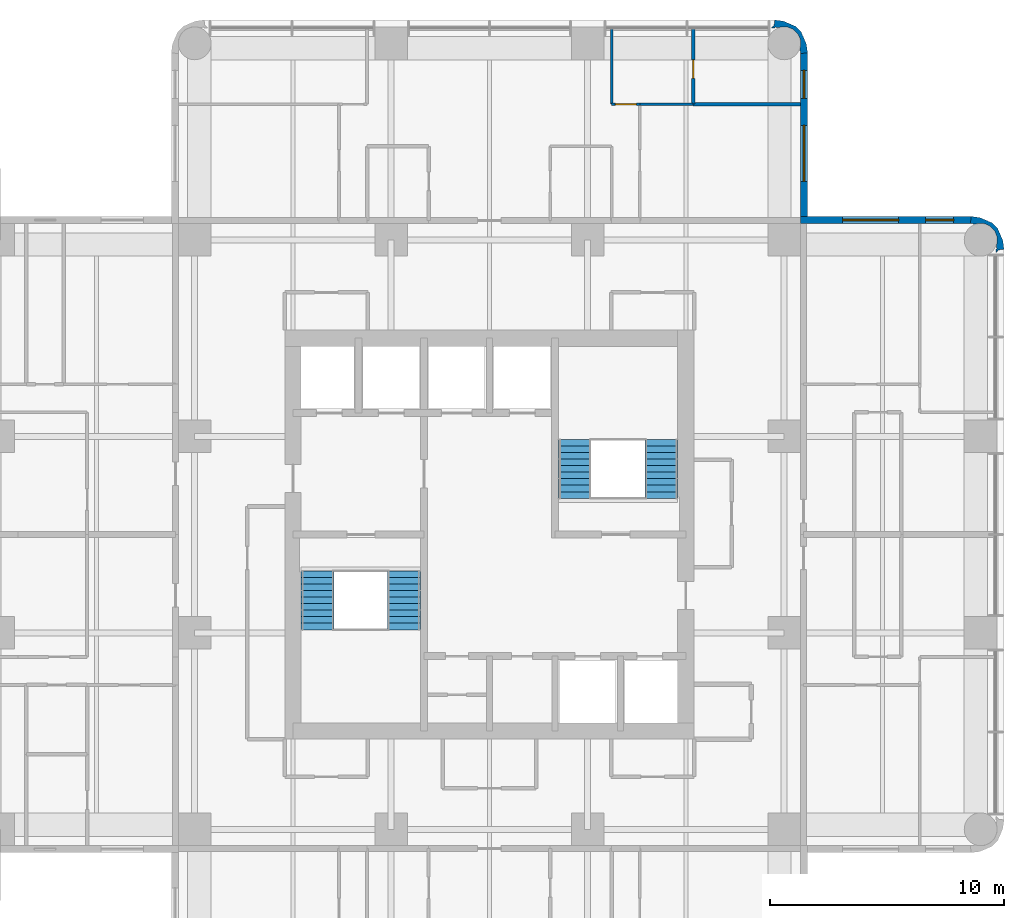
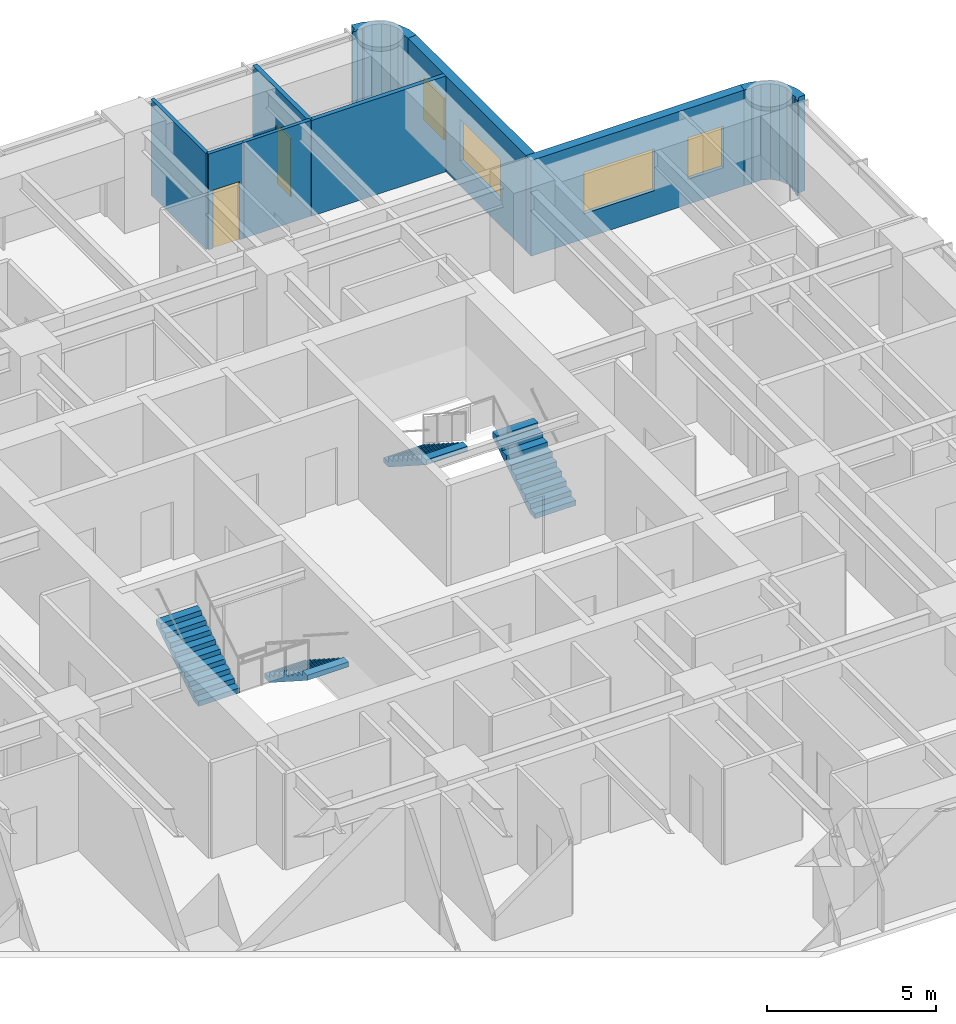
# One storey, part 10 of 11: 9 walls, 4 stair flights, 4 windows, 2 doors, 6 openings, 2 elements without a shape of their own.
"""IFC4 building model written with IfcOpenShell, lengths in metres."""

from ifc_helpers import new_model, si_unit, direction, frame, frame_2d, origin, place, context, subcontext, project, spatial, polyline, rectangle, outline, extrude, material, layer, layer_set, type_object, element, fill, aggregate, save


model = new_model("IFC4")

# Units and contexts
model_context = context("Model", 3, precision=1e-05, world=origin(), true_north=direction((0.0, 1.0)))
body_context = subcontext(model_context, "Body", "Model", "MODEL_VIEW")
ifc_project = project(units=[si_unit("LENGTHUNIT", "METRE"), si_unit("AREAUNIT", "SQUARE_METRE"), si_unit("VOLUMEUNIT", "CUBIC_METRE"), si_unit("PLANEANGLEUNIT", "RADIAN"), si_unit("MASSUNIT", "GRAM", prefix="KILO")], contexts=[model_context])

# Site, building, storey
site_placement = place(None, origin())
site = spatial("IfcSite", under=ifc_project, at=site_placement, CompositionType="ELEMENT")
building_placement = place(site_placement, origin())
building = spatial("IfcBuilding", under=site, at=building_placement, Name="Torre Alcanfor", CompositionType="ELEMENT")
storey_placement = place(building_placement, frame((0.0, 0.0, 190.5)))
storey = spatial("IfcBuildingStorey", under=building, at=storey_placement, Name="L49", CompositionType="ELEMENT", Elevation=190.5)

# Wall
ifc_material_1 = material(Name="Gypsum board on steel studs", Category="steel")
ifc_layer_1 = layer(ifc_material_1, 0.1201171875)
ifc_layer_set_1 = layer_set([ifc_layer_1], Name="Apartment partition 120")
wall_type_1 = type_object("IfcWallType", Name="Apartment partition 120", PredefinedType="PARTITIONING", material=ifc_layer_set_1)
wall_1_placement = place(storey_placement, frame((34.62890625, 51.050048828125, 0.0), z_axis=(0.0, 0.0, 1.0), x_axis=(0.0, -1.0, 0.0)))
element("IfcWall", 1, at=wall_1_placement, inside=storey, type_object=wall_type_1, Name="Partition L49-NX-LIVING / L49-NX-BED1", PredefinedType="PARTITIONING", context=body_context, shape_type="SweptSolid", body=[
    extrude(rectangle(XDim=3.25, YDim=0.1201171875, at=frame_2d((1.625, 0.0))), origin(), (0.0, 0.0, 1.0), 3.449951171875),
])

# Wall, opening, door
wall_2_placement = place(storey_placement, frame((34.62890625, 47.800048828125, 0.0), z_axis=(0.0, 0.0, 1.0), x_axis=(1.0, 0.0, 0.0)))
wall_2 = element("IfcWall", 2, at=wall_2_placement, inside=storey, type_object=wall_type_1, Name="Partition L49-NX-LIVING / L49-NX-BED1", PredefinedType="PARTITIONING", context=body_context, shape_type="SweptSolid", body=[
    extrude(rectangle(XDim=1.2001953125, YDim=0.1201171875, at=frame_2d((0.60009765625, 0.0))), origin(), (0.0, 0.0, 1.0), 3.449951171875),
])
opening_1_placement = place(wall_2_placement, frame((0.15087890625, 0.0, 0.0)))
opening_1 = element("IfcOpeningElement", 3, at=opening_1_placement, cuts=wall_2, Name="Opening D-R1", PredefinedType="OPENING", context=body_context, shape_type="SweptSolid", body=[
    extrude(rectangle(XDim=0.89990234375, YDim=2.10009765625, at=frame_2d((0.449951171875, 1.050048828125))), frame((0.0, 0.070068359375, 0.0), z_axis=(0.0, -1.0, 0.0), x_axis=(1.0, 0.0, 0.0)), (0.0, 0.0, 1.0), 0.14013671875),
])
ifc_material_2 = material(Name="Timber", Category="wood")
door_type_1 = type_object("IfcDoorType", Name="Internal door 900x2100", OperationType="SINGLE_SWING_LEFT", PredefinedType="DOOR", material=ifc_material_2)
door_1_placement = place(opening_1_placement, origin())
door_1 = element("IfcDoor", 4, at=door_1_placement, inside=storey, type_object=door_type_1, Name="Door L49-NX bed1", OperationType="SINGLE_SWING_LEFT", OverallHeight=2.10009765625, OverallWidth=0.89990234375, PredefinedType="DOOR", context=body_context, shape_type="SweptSolid", body=[
    extrude(rectangle(XDim=0.89990234375, YDim=2.10009765625, at=frame_2d((0.449951171875, 1.050048828125))), frame((0.0, 0.02490234375, 0.0), z_axis=(0.0, -1.0, 0.0), x_axis=(1.0, 0.0, 0.0)), (0.0, 0.0, 1.0), 0.050048828125),
])
fill(opening_1, door_1)

# Wall
wall_3_placement = place(storey_placement, frame((38.114013671875, 47.800048828125, 0.0), z_axis=(0.0, 0.0, 1.0), x_axis=(-1.0, 0.0, 0.0)))
element("IfcWall", 5, at=wall_3_placement, inside=storey, type_object=wall_type_1, Name="Partition L49-NX-BED3 / L49-NX-BED1", PredefinedType="PARTITIONING", context=body_context, shape_type="SweptSolid", body=[
    extrude(rectangle(XDim=2.284912109375, YDim=0.1201171875, at=frame_2d((1.142578125, 0.0))), origin(), (0.0, 0.0, 1.0), 3.449951171875),
])

# Wall, openings, windows
ifc_material_3 = material(Name="Limestone cladding", Category="masonry")
ifc_layer_2 = layer(ifc_material_3, 0.0400390625, Name="Facing")
ifc_material_4 = material(Name="Ventilated air cavity")
ifc_layer_3 = layer(ifc_material_4, 0.02001953125, ventilated=True, Name="Ventilated joint")
ifc_material_5 = material(Name="Mineral wool insulation", Category="insulation")
ifc_layer_4 = layer(ifc_material_5, 0.10009765625, Name="Insulation")
ifc_material_6 = material(Name="Concrete f'c 35 MPa", Category="concrete")
ifc_layer_5 = layer(ifc_material_6, 0.139892578125, Name="Backing")
ifc_layer_set_2 = layer_set([ifc_layer_2, ifc_layer_3, ifc_layer_4, ifc_layer_5], Name="External wall stone-clad 300")
wall_type_2 = type_object("IfcWallType", Name="External wall stone-clad 300", PredefinedType="SOLIDWALL", material=ifc_layer_set_2)
wall_4_placement = place(storey_placement, frame((50.0, 42.85009765625, 0.0), z_axis=(0.0, 0.0, 1.0), x_axis=(-1.0, 0.0, 0.0)))
wall_4 = element("IfcWall", 6, at=wall_4_placement, inside=storey, type_object=wall_type_2, Name="External wall L49 9", PredefinedType="SOLIDWALL", context=body_context, shape_type="SweptSolid", body=[
    extrude(rectangle(XDim=7.300048828125, YDim=0.300048828125, at=frame_2d((3.64990234375, 0.0))), origin(), (0.0, 0.0, 1.0), 3.449951171875),
])
opening_2_placement = place(wall_4_placement, frame((3.10009765625, 0.0, 0.89990234375)))
opening_2 = element("IfcOpeningElement", 7, at=opening_2_placement, cuts=wall_4, Name="Opening W1", PredefinedType="OPENING", context=body_context, shape_type="SweptSolid", body=[
    extrude(rectangle(XDim=2.39990234375, YDim=1.5, at=frame_2d((1.199951171875, 0.75))), frame((0.0, 0.159912109375, 0.0), z_axis=(0.0, -1.0, 0.0), x_axis=(1.0, 0.0, 0.0)), (0.0, 0.0, 1.0), 0.320068359375),
])
opening_3_placement = place(wall_4_placement, frame((0.75, 0.0, 0.89990234375)))
opening_3 = element("IfcOpeningElement", 8, at=opening_3_placement, cuts=wall_4, Name="Opening W4", PredefinedType="OPENING", context=body_context, shape_type="SweptSolid", body=[
    extrude(rectangle(XDim=1.199951171875, YDim=1.5, at=frame_2d((0.60009765625, 0.75))), frame((0.0, 0.159912109375, 0.0), z_axis=(0.0, -1.0, 0.0), x_axis=(1.0, 0.0, 0.0)), (0.0, 0.0, 1.0), 0.320068359375),
])
ifc_material_7 = material(Name="Aluminium frame with clear double glazing", Category="aluminium")
window_type_1 = type_object("IfcWindowType", Name="Window bedroom 1200x1500", PartitioningType="SINGLE_PANEL", PredefinedType="WINDOW", material=ifc_material_7)
window_1_placement = place(opening_3_placement, origin())
window_1 = element("IfcWindow", 9, at=window_1_placement, inside=storey, type_object=window_type_1, Name="Window W4 L49-E1", OverallHeight=1.5, OverallWidth=1.199951171875, PartitioningType="SINGLE_PANEL", PredefinedType="WINDOW", context=body_context, shape_type="SweptSolid", body=[
    extrude(rectangle(XDim=1.199951171875, YDim=1.5, at=frame_2d((0.60009765625, 0.75))), frame((0.0, 0.030029296875, 0.0), z_axis=(0.0, -1.0, 0.0), x_axis=(1.0, 0.0, 0.0)), (0.0, 0.0, 1.0), 0.06005859375),
])
fill(opening_3, window_1)
ifc_material_8 = material(Name="Aluminium frame with clear double glazing", Category="aluminium")
window_type_2 = type_object("IfcWindowType", Name="Window bedroom 2400x1500", PartitioningType="SINGLE_PANEL", PredefinedType="WINDOW", material=ifc_material_8)
window_2_placement = place(opening_2_placement, origin())
window_2 = element("IfcWindow", 10, at=window_2_placement, inside=storey, type_object=window_type_2, Name="Window W1 L49-E1", OverallHeight=1.5, OverallWidth=2.39990234375, PartitioningType="SINGLE_PANEL", PredefinedType="WINDOW", context=body_context, shape_type="SweptSolid", body=[
    extrude(rectangle(XDim=2.39990234375, YDim=1.5, at=frame_2d((1.199951171875, 0.75))), frame((0.0, 0.030029296875, 0.0), z_axis=(0.0, -1.0, 0.0), x_axis=(1.0, 0.0, 0.0)), (0.0, 0.0, 1.0), 0.06005859375),
])
fill(opening_2, window_2)

wall_5_placement = place(storey_placement, frame((42.85009765625, 43.0, 0.0), z_axis=(0.0, 0.0, 1.0), x_axis=(0.0, 1.0, 0.0)))
wall_5 = element("IfcWall", 11, at=wall_5_placement, inside=storey, type_object=wall_type_2, Name="External wall L49 10", PredefinedType="SOLIDWALL", context=body_context, shape_type="SweptSolid", body=[
    extrude(rectangle(XDim=7.0, YDim=0.300048828125, at=frame_2d((3.5, 0.0))), origin(), (0.0, 0.0, 1.0), 3.449951171875),
])
opening_4_placement = place(wall_5_placement, frame((1.5, 0.0, 0.89990234375)))
opening_4 = element("IfcOpeningElement", 12, at=opening_4_placement, cuts=wall_5, Name="Opening W1", PredefinedType="OPENING", context=body_context, shape_type="SweptSolid", body=[
    extrude(rectangle(XDim=2.39990234375, YDim=1.5, at=frame_2d((1.199951171875, 0.75))), frame((0.0, 0.159912109375, 0.0), z_axis=(0.0, -1.0, 0.0), x_axis=(1.0, 0.0, 0.0)), (0.0, 0.0, 1.0), 0.320068359375),
])
opening_5_placement = place(wall_5_placement, frame((5.050048828125, 0.0, 0.89990234375)))
opening_5 = element("IfcOpeningElement", 13, at=opening_5_placement, cuts=wall_5, Name="Opening W4", PredefinedType="OPENING", context=body_context, shape_type="SweptSolid", body=[
    extrude(rectangle(XDim=1.199951171875, YDim=1.5, at=frame_2d((0.60009765625, 0.75))), frame((0.0, 0.159912109375, 0.0), z_axis=(0.0, -1.0, 0.0), x_axis=(1.0, 0.0, 0.0)), (0.0, 0.0, 1.0), 0.320068359375),
])
window_3_placement = place(opening_5_placement, origin())
window_3 = element("IfcWindow", 14, at=window_3_placement, inside=storey, type_object=window_type_1, Name="Window W4 L49-N2", OverallHeight=1.5, OverallWidth=1.199951171875, PartitioningType="SINGLE_PANEL", PredefinedType="WINDOW", context=body_context, shape_type="SweptSolid", body=[
    extrude(rectangle(XDim=1.199951171875, YDim=1.5, at=frame_2d((0.60009765625, 0.75))), frame((0.0, 0.030029296875, 0.0), z_axis=(0.0, -1.0, 0.0), x_axis=(1.0, 0.0, 0.0)), (0.0, 0.0, 1.0), 0.06005859375),
])
fill(opening_5, window_3)
window_4_placement = place(opening_4_placement, origin())
window_4 = element("IfcWindow", 15, at=window_4_placement, inside=storey, type_object=window_type_2, Name="Window W1 L49-N2", OverallHeight=1.5, OverallWidth=2.39990234375, PartitioningType="SINGLE_PANEL", PredefinedType="WINDOW", context=body_context, shape_type="SweptSolid", body=[
    extrude(rectangle(XDim=2.39990234375, YDim=1.5, at=frame_2d((1.199951171875, 0.75))), frame((0.0, 0.030029296875, 0.0), z_axis=(0.0, -1.0, 0.0), x_axis=(1.0, 0.0, 0.0)), (0.0, 0.0, 1.0), 0.06005859375),
])
fill(opening_4, window_4)

# Walls
ifc_layer_6 = layer(ifc_material_3, 0.0400390625, Name="Facing")
ifc_layer_7 = layer(ifc_material_4, 0.02001953125, ventilated=True, Name="Ventilated joint")
ifc_layer_8 = layer(ifc_material_5, 0.10009765625, Name="Insulation")
ifc_layer_9 = layer(ifc_material_6, 0.139892578125, Name="Backing")
ifc_layer_set_3 = layer_set([ifc_layer_6, ifc_layer_7, ifc_layer_8, ifc_layer_9], Name="Rounded corner pier stone-clad 300")
wall_type_3 = type_object("IfcWallType", Name="Rounded corner pier stone-clad 300", PredefinedType="SOLIDWALL", material=ifc_layer_set_3)
wall_6_placement = place(storey_placement, frame((50.98815184, 41.487674505, 0.0), z_axis=(0.0, 0.0, 1.0), x_axis=(0.898030234854, 0.439933741929, 0.0)))
element("IfcWall", 16, at=wall_6_placement, inside=storey, type_object=wall_type_3, Name="Corner pier L49 18", PredefinedType="SOLIDWALL", context=body_context, shape_type="SweptSolid", body=[
    extrude(outline(polyline([(0.13762845900144902, -0.0395605783475044), (0.18185793649134802, -0.00033087416050568697), (0.41922313919285215, -0.08018355093564442), (0.535860291835806, 0.2661211239178742), (0.5587746083679793, 0.6308813409414961), (0.5545700157158291, 0.6511558966825934), (0.5663920082639611, 0.8356681075750403), (0.45545119814889223, 1.159160361177863), (0.33312688681130387, 1.297925592490813), (0.32402252373636403, 1.3165225487705126), (0.08234923743790223, 1.5906923948786469), (-0.22206721491752535, 1.7928353560160377), (-0.38958661601048106, 1.540782159618673), (-0.3718277173231749, 1.5320822980229156), (-0.19464371431186422, 1.4142897687749243), (-0.11970407362674929, 1.4096575385515544), (0.13067447329798665, 1.2870002306212465), (0.31526160288378063, 1.0777694581339308), (0.4057356995697948, 0.8140544036891404), (0.38812563637514036, 0.5355946934281371), (0.26546832844483254, 0.28521614650340116), (0.2089867161004748, 0.23540500505176065), (0.14757776297591008, 0.05289210976982966), (0.10504410439149783, 0.07372881532016215), (0.03190082356790798, -0.07557748105089318), (0.13762845900144902, -0.0395605783475044)])), origin(), (0.0, 0.0, 1.0), 3.449951171875),
])
wall_7_placement = place(storey_placement, frame((42.724211819, 50.110315272, 0.0), z_axis=(0.0, 0.0, 1.0), x_axis=(0.439933741929, 0.898030234854, 0.0)))
element("IfcWall", 17, at=wall_7_placement, inside=storey, type_object=wall_type_3, Name="Corner pier L49 19", PredefinedType="SOLIDWALL", context=body_context, shape_type="SweptSolid", body=[
    extrude(outline(polyline([(-0.14525732426811072, -0.04414433895897353), (0.0222620768248451, -0.29619753535633836), (0.3266785291802725, -0.09405457421894756), (0.5683518154787345, 0.1801152718891868), (0.5774561785536743, 0.19871222816888634), (0.6997804898912626, 0.33747745948183633), (0.8107213000063315, 0.6609697130846591), (0.7988993074581994, 0.8454819239771059), (0.8031039001103497, 0.8657564797182034), (0.7801895835781762, 1.2305166967418253), (0.6635524309352225, 1.5768213715953436), (0.42618722823371835, 1.496968694820205), (0.38195775074381944, 1.5361983990072037), (0.2762301153102783, 1.5722153017105926), (0.3493733961338682, 1.4229090053395372), (0.39190705471828047, 1.4437457108898697), (0.45331600784284515, 1.2612328156079387), (0.5097976201872029, 1.2114216741562982), (0.6324549281175107, 0.9610431272315622), (0.6500649913121652, 0.6825834169705589), (0.559590894626151, 0.4188683625257686), (0.37500376504035704, 0.20963759003845278), (0.1246252181156211, 0.08698028210814499), (0.04968557743050611, 0.08234805188477495), (-0.12749842558080457, -0.035444477363216154), (-0.14525732426811072, -0.04414433895897353)])), origin(), (0.0, 0.0, 1.0), 3.449951171875),
])
ifc_material_9 = material(Name="Cement board on steel studs", Category="steel")
ifc_layer_10 = layer(ifc_material_9, 0.14990234375)
ifc_layer_set_4 = layer_set([ifc_layer_10], Name="Wet area partition 150")
wall_type_4 = type_object("IfcWallType", Name="Wet area partition 150", PredefinedType="PARTITIONING", material=ifc_layer_set_4)
wall_8_placement = place(storey_placement, frame((42.699951171875, 47.800048828125, 0.0), z_axis=(0.0, 0.0, 1.0), x_axis=(-1.0, 0.0, 0.0)))
element("IfcWall", 18, at=wall_8_placement, inside=storey, type_object=wall_type_4, Name="Partition L49-NX-BED3 / L49-NX-BATH1", PredefinedType="PARTITIONING", context=body_context, shape_type="SweptSolid", body=[
    extrude(rectangle(XDim=4.5859375, YDim=0.14990234375, at=frame_2d((2.29296875, 0.0))), origin(), (0.0, 0.0, 1.0), 3.449951171875),
])

# Wall, opening, door
wall_9_placement = place(storey_placement, frame((38.114013671875, 51.050048828125, 0.0), z_axis=(0.0, 0.0, 1.0), x_axis=(0.0, -1.0, 0.0)))
wall_9 = element("IfcWall", 19, at=wall_9_placement, inside=storey, type_object=wall_type_4, Name="Partition L49-NX-BATH1 / L49-NX-BED1", PredefinedType="PARTITIONING", context=body_context, shape_type="SweptSolid", body=[
    extrude(rectangle(XDim=3.25, YDim=0.14990234375, at=frame_2d((1.625, 0.0))), origin(), (0.0, 0.0, 1.0), 3.449951171875),
])
opening_6_placement = place(wall_9_placement, frame((1.35009765625, 0.0, 0.0)))
opening_6 = element("IfcOpeningElement", 20, at=opening_6_placement, cuts=wall_9, Name="Opening D-R2", PredefinedType="OPENING", context=body_context, shape_type="SweptSolid", body=[
    extrude(rectangle(XDim=0.800048828125, YDim=2.10009765625, at=frame_2d((0.39990234375, 1.050048828125))), frame((0.0, 0.0849609375, 0.0), z_axis=(0.0, -1.0, 0.0), x_axis=(1.0, 0.0, 0.0)), (0.0, 0.0, 1.0), 0.169921875),
])
ifc_material_10 = material(Name="Timber", Category="wood")
door_type_2 = type_object("IfcDoorType", Name="Bathroom door 800x2100", OperationType="SINGLE_SWING_LEFT", PredefinedType="DOOR", material=ifc_material_10)
door_2_placement = place(opening_6_placement, frame((0.800048828125, 0.0, 0.0), z_axis=(0.0, 0.0, 1.0), x_axis=(-1.0, 0.0, 0.0)))
door_2 = element("IfcDoor", 21, at=door_2_placement, inside=storey, type_object=door_type_2, Name="Door L49-NX bath1", OperationType="SINGLE_SWING_LEFT", OverallHeight=2.10009765625, OverallWidth=0.800048828125, PredefinedType="DOOR", context=body_context, shape_type="SweptSolid", body=[
    extrude(rectangle(XDim=0.800048828125, YDim=2.10009765625, at=frame_2d((0.400146484375, 1.050048828125))), frame((0.0, 0.025146484375, 0.0), z_axis=(0.0, -1.0, 0.0), x_axis=(1.0, 0.0, 0.0)), (0.0, 0.0, 1.0), 0.050048828125),
])
fill(opening_6, door_2)

# Stair, stair flights
ifc_material_11 = material(Name="Concrete f'c 35 MPa", Category="concrete")
stair_type_1 = type_object("IfcStairType", Name="Exit stair S1 1400 wide", PredefinedType="HALF_TURN_STAIR", material=ifc_material_11)
stair_1_placement = place(storey_placement, origin())
stair_1 = element("IfcStair", 22, at=stair_1_placement, inside=storey, type_object=stair_type_1, Name="Stair S1 L49 to L50", PredefinedType="HALF_TURN_STAIR")
ifc_material_12 = material(Name="Concrete f'c 35 MPa", Category="concrete")
stair_flight_type = type_object("IfcStairFlightType", Name="Stair flight 1400", PredefinedType="STRAIGHT", material=ifc_material_12)
stair_flight_1_placement = place(storey_placement, frame((25.75, 27.85009765625, 0.0), z_axis=(0.0, 0.0, 1.0), x_axis=(0.0, -1.0, 0.0)))
stair_flight_1 = element("IfcStairFlight", 23, at=stair_flight_1_placement, type_object=stair_flight_type, Name="S1 flight 1", NumberOfRisers=10, NumberOfTreads=9, PredefinedType="STRAIGHT", RiserHeight=0.18, TreadLength=0.28, context=body_context, shape_type="SweptSolid", body=[
    extrude(outline(polyline([(0.0, 0.0), (0.0, 0.179931640625), (0.280029296875, 0.179931640625), (0.280029296875, 0.360107421875), (0.56005859375, 0.360107421875), (0.56005859375, 0.5400390625), (0.840087890625, 0.5400390625), (0.840087890625, 0.719970703125), (1.1201171875, 0.719970703125), (1.1201171875, 0.89990234375), (1.39990234375, 0.89990234375), (1.39990234375, 1.080078125), (1.679931640625, 1.080078125), (1.679931640625, 1.260009765625), (1.9599609375, 1.260009765625), (1.9599609375, 1.43994140625), (2.239990234375, 1.43994140625), (2.239990234375, 1.6201171875), (2.52001953125, 1.6201171875), (2.52001953125, 1.800048828125), (2.52001953125, 1.44189453125), (0.277099609375, 0.0), (0.0, 0.0)])), frame((0.0, 0.699951171875, 0.0), z_axis=(0.0, -1.0, 0.0), x_axis=(1.0, 0.0, 0.0)), (0.0, 0.0, 1.0), 1.39990234375),
])
stair_flight_2_placement = place(storey_placement, frame((22.050048828125, 25.330078125, 1.800048828125), z_axis=(0.0, 0.0, 1.0), x_axis=(0.0, 1.0, 0.0)))
stair_flight_2 = element("IfcStairFlight", 24, at=stair_flight_2_placement, type_object=stair_flight_type, Name="S1 flight 2", NumberOfRisers=10, NumberOfTreads=9, PredefinedType="STRAIGHT", RiserHeight=0.18, TreadLength=0.28, context=body_context, shape_type="SweptSolid", body=[
    extrude(outline(polyline([(0.0, 0.0), (0.0, 0.179931640625), (0.280029296875, 0.179931640625), (0.280029296875, 0.360107421875), (0.56005859375, 0.360107421875), (0.56005859375, 0.5400390625), (0.840087890625, 0.5400390625), (0.840087890625, 0.719970703125), (1.1201171875, 0.719970703125), (1.1201171875, 0.89990234375), (1.39990234375, 0.89990234375), (1.39990234375, 1.080078125), (1.679931640625, 1.080078125), (1.679931640625, 1.260009765625), (1.9599609375, 1.260009765625), (1.9599609375, 1.43994140625), (2.239990234375, 1.43994140625), (2.239990234375, 1.6201171875), (2.52001953125, 1.6201171875), (2.52001953125, 1.800048828125), (2.52001953125, 1.44189453125), (0.277099609375, 0.0), (0.0, 0.0)])), frame((0.0, 0.699951171875, 0.0), z_axis=(0.0, -1.0, 0.0), x_axis=(1.0, 0.0, 0.0)), (0.0, 0.0, 1.0), 1.39990234375),
])
aggregate(stair_1, [stair_flight_1, stair_flight_2])

ifc_material_13 = material(Name="Concrete f'c 35 MPa", Category="concrete")
stair_type_2 = type_object("IfcStairType", Name="Exit stair S2 1400 wide", PredefinedType="HALF_TURN_STAIR", material=ifc_material_13)
stair_2_placement = place(storey_placement, origin())
stair_2 = element("IfcStair", 25, at=stair_2_placement, inside=storey, type_object=stair_type_2, Name="Stair S2 L49 to L50", PredefinedType="HALF_TURN_STAIR")
stair_flight_3_placement = place(storey_placement, frame((36.75, 30.949951171875, 0.0), z_axis=(0.0, 0.0, 1.0), x_axis=(0.0, 1.0, 0.0)))
stair_flight_3 = element("IfcStairFlight", 26, at=stair_flight_3_placement, type_object=stair_flight_type, Name="S2 flight 1", NumberOfRisers=10, NumberOfTreads=9, PredefinedType="STRAIGHT", RiserHeight=0.18, TreadLength=0.28, context=body_context, shape_type="SweptSolid", body=[
    extrude(outline(polyline([(0.0, 0.0), (0.0, 0.179931640625), (0.280029296875, 0.179931640625), (0.280029296875, 0.360107421875), (0.56005859375, 0.360107421875), (0.56005859375, 0.5400390625), (0.840087890625, 0.5400390625), (0.840087890625, 0.719970703125), (1.1201171875, 0.719970703125), (1.1201171875, 0.89990234375), (1.39990234375, 0.89990234375), (1.39990234375, 1.080078125), (1.679931640625, 1.080078125), (1.679931640625, 1.260009765625), (1.9599609375, 1.260009765625), (1.9599609375, 1.43994140625), (2.239990234375, 1.43994140625), (2.239990234375, 1.6201171875), (2.52001953125, 1.6201171875), (2.52001953125, 1.800048828125), (2.52001953125, 1.44189453125), (0.277099609375, 0.0), (0.0, 0.0)])), frame((0.0, 0.699951171875, 0.0), z_axis=(0.0, -1.0, 0.0), x_axis=(1.0, 0.0, 0.0)), (0.0, 0.0, 1.0), 1.39990234375),
])
stair_flight_4_placement = place(storey_placement, frame((33.050048828125, 33.469970703125, 1.800048828125), z_axis=(0.0, 0.0, 1.0), x_axis=(0.0, -1.0, 0.0)))
stair_flight_4 = element("IfcStairFlight", 27, at=stair_flight_4_placement, type_object=stair_flight_type, Name="S2 flight 2", NumberOfRisers=10, NumberOfTreads=9, PredefinedType="STRAIGHT", RiserHeight=0.18, TreadLength=0.28, context=body_context, shape_type="SweptSolid", body=[
    extrude(outline(polyline([(0.0, 0.0), (0.0, 0.179931640625), (0.280029296875, 0.179931640625), (0.280029296875, 0.360107421875), (0.56005859375, 0.360107421875), (0.56005859375, 0.5400390625), (0.840087890625, 0.5400390625), (0.840087890625, 0.719970703125), (1.1201171875, 0.719970703125), (1.1201171875, 0.89990234375), (1.39990234375, 0.89990234375), (1.39990234375, 1.080078125), (1.679931640625, 1.080078125), (1.679931640625, 1.260009765625), (1.9599609375, 1.260009765625), (1.9599609375, 1.43994140625), (2.239990234375, 1.43994140625), (2.239990234375, 1.6201171875), (2.52001953125, 1.6201171875), (2.52001953125, 1.800048828125), (2.52001953125, 1.44189453125), (0.277099609375, 0.0), (0.0, 0.0)])), frame((0.0, 0.699951171875, 0.0), z_axis=(0.0, -1.0, 0.0), x_axis=(1.0, 0.0, 0.0)), (0.0, 0.0, 1.0), 1.39990234375),
])
aggregate(stair_2, [stair_flight_3, stair_flight_4])

save(model, "model.ifc")
